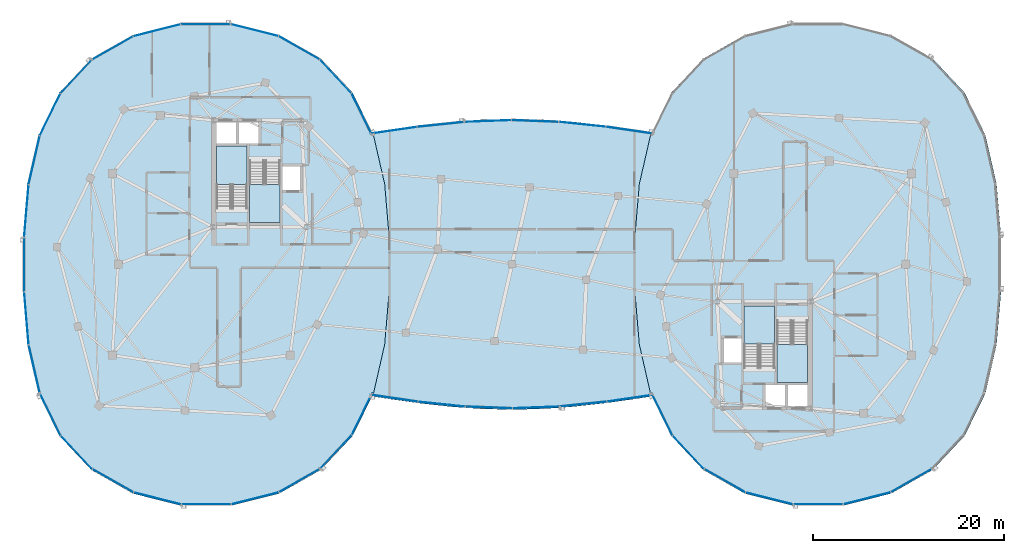
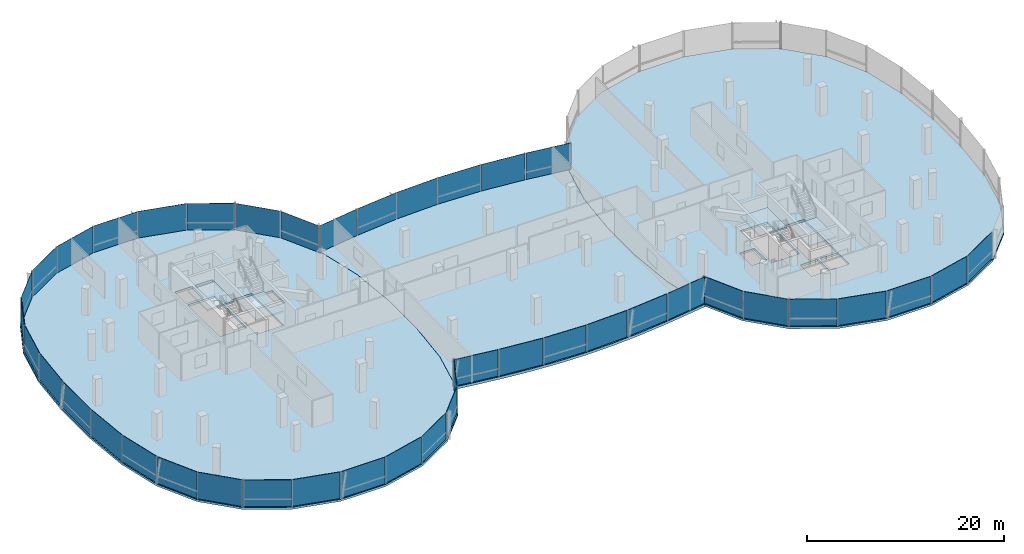
# One storey, part 12 of 25: 42 plates, 7 slabs, 11 elements without a shape of their own.
"""IFC4 building model written with IfcOpenShell, lengths in metres."""

from ifc_helpers import new_model, si_unit, direction, frame, origin, origin_2d, place, context, subcontext, project, spatial, polyline, rectangle, outline, extrude, material, layer, layer_set, type_object, element, aggregate, save


model = new_model("IFC4")

# Units and contexts
model_context = context("Model", 3, precision=1e-05, world=origin(), true_north=direction((0.0, 1.0)))
body_context = subcontext(model_context, "Body", "Model", "MODEL_VIEW")
ifc_project = project(units=[si_unit("LENGTHUNIT", "METRE"), si_unit("AREAUNIT", "SQUARE_METRE"), si_unit("VOLUMEUNIT", "CUBIC_METRE"), si_unit("PLANEANGLEUNIT", "RADIAN"), si_unit("MASSUNIT", "GRAM", prefix="KILO"), si_unit("THERMODYNAMICTEMPERATUREUNIT", "KELVIN"), si_unit("POWERUNIT", "WATT")], contexts=[model_context])

# Site, building, storey
site_placement = place(None, origin())
site = spatial("IfcSite", under=ifc_project, at=site_placement, CompositionType="ELEMENT")
building_placement = place(site_placement, origin())
building = spatial("IfcBuilding", under=site, at=building_placement, Name="Cundina Bronze Exchange", CompositionType="ELEMENT")
storey_placement = place(building_placement, frame((0.0, 0.0, 272.0)))
storey = spatial("IfcBuildingStorey", under=building, at=storey_placement, Name="L72", CompositionType="ELEMENT", Elevation=272.0)

# Curtain wall, plates
ifc_material_1 = material(Name="Anodised Bronze Aluminium 6063-T6", Category="aluminium")
curtain_wall_type = type_object("IfcCurtainWallType", Name="CWS-SKG-BRG", PredefinedType="NOTDEFINED", material=ifc_material_1)
curtain_wall_1_placement = place(storey_placement, origin())
curtain_wall_1 = element("IfcCurtainWall", 1, at=curtain_wall_1_placement, inside=storey, type_object=curtain_wall_type, Name="L72 CW-06 Curtain Wall Run CWR-L72-W1", PredefinedType="NOTDEFINED")
ifc_material_2 = material(Name="Heat-Strengthened Solar-Control Bronze Safety Glass 28mm", Category="glass")
ifc_layer_1 = layer(ifc_material_2, 0.028076171875, Name="Heat-Strengthened Solar-Control Bronze Safety Glass 28mm", Category="glass")
ifc_layer_set_1 = layer_set([ifc_layer_1], Name="Heat-Strengthened Solar-Control Bronze Safety Glass 28mm")
plate_type_1 = type_object("IfcPlateType", Name="PLT-GLZ-VIS28", PredefinedType="CURTAIN_PANEL", material=ifc_layer_set_1)
plate_1_placement = place(storey_placement, frame((-15.69873046875, 15.68017578125, 0.02001953125), z_axis=(0.0, 0.0, 1.0), x_axis=(-0.440503330345, 0.897750976582, 0.0)))
plate_1 = element("IfcPlate", 2, at=plate_1_placement, type_object=plate_type_1, Name="CW-06 Glazed Panel 1", PredefinedType="CURTAIN_PANEL", context=body_context, shape_type="SweptSolid", body=[
    extrude(rectangle(XDim=4.863525390625, YDim=0.028076171875, at=origin_2d()), origin(), (0.0, 0.0, 1.0), 3.300048828125),
])
plate_2_placement = place(storey_placement, frame((-18.431884765625, 19.64501953125, 0.02001953125), z_axis=(0.0, 0.0, 1.0), x_axis=(-0.684343512797, 0.72915976061, 0.0)))
plate_2 = element("IfcPlate", 3, at=plate_2_placement, type_object=plate_type_1, Name="CW-06 Glazed Panel 2", PredefinedType="CURTAIN_PANEL", context=body_context, shape_type="SweptSolid", body=[
    extrude(rectangle(XDim=4.773193359375, YDim=0.028076171875, at=origin_2d()), origin(), (0.0, 0.0, 1.0), 3.300048828125),
])
plate_3_placement = place(storey_placement, frame((-26.890625, 24.4814453125, 0.02001953125), z_axis=(0.0, 0.0, 1.0), x_axis=(-0.969731542251, 0.244173577528, 0.0)))
plate_3 = element("IfcPlate", 4, at=plate_3_placement, type_object=plate_type_1, Name="CW-06 Glazed Panel 4", PredefinedType="CURTAIN_PANEL", context=body_context, shape_type="SweptSolid", body=[
    extrude(rectangle(XDim=5.0908203125, YDim=0.028076171875, at=origin_2d()), origin(), (0.0, 0.0, 1.0), 3.300048828125),
])
plate_4_placement = place(storey_placement, frame((-32.0, 25.110107421875, 0.02001953125), z_axis=(0.0, 0.0, 1.0), x_axis=(-1.0, 0.0, 0.0)))
plate_4 = element("IfcPlate", 5, at=plate_4_placement, type_object=plate_type_1, Name="CW-06 Glazed Panel 5", PredefinedType="CURTAIN_PANEL", context=body_context, shape_type="SweptSolid", body=[
    extrude(rectangle(XDim=5.16796875, YDim=0.028076171875, at=origin_2d()), origin(), (0.0, 0.0, 1.0), 3.300048828125),
])
plate_5_placement = place(storey_placement, frame((-37.109375, 24.4814453125, 0.02001953125), z_axis=(0.0, 0.0, 1.0), x_axis=(-0.969731542251, -0.244173577528, 0.0)))
plate_5 = element("IfcPlate", 6, at=plate_5_placement, type_object=plate_type_1, Name="CW-06 Glazed Panel 6", PredefinedType="CURTAIN_PANEL", context=body_context, shape_type="SweptSolid", body=[
    extrude(rectangle(XDim=5.0908203125, YDim=0.028076171875, at=origin_2d()), origin(), (0.0, 0.0, 1.0), 3.300048828125),
])
plate_6_placement = place(storey_placement, frame((-41.76171875, 22.6279296875, 0.02001953125), z_axis=(0.0, 0.0, 1.0), x_axis=(-0.869572506985, -0.493805280547, 0.0)))
plate_6 = element("IfcPlate", 7, at=plate_6_placement, type_object=plate_type_1, Name="CW-06 Glazed Panel 7", PredefinedType="CURTAIN_PANEL", context=body_context, shape_type="SweptSolid", body=[
    extrude(rectangle(XDim=4.907958984375, YDim=0.028076171875, at=origin_2d()), origin(), (0.0, 0.0, 1.0), 3.300048828125),
])

curtain_wall_2_placement = place(storey_placement, origin())
curtain_wall_2 = element("IfcCurtainWall", 8, at=curtain_wall_2_placement, inside=storey, type_object=curtain_wall_type, Name="L72 CW-06 Curtain Wall Run CWR-L72-W2", PredefinedType="NOTDEFINED")
plate_7_placement = place(storey_placement, frame((-45.568115234375, 19.64501953125, 0.02001953125), z_axis=(0.0, 0.0, 1.0), x_axis=(-0.684343512797, -0.72915976061, 0.0)))
plate_7 = element("IfcPlate", 9, at=plate_7_placement, type_object=plate_type_1, Name="CW-06 Glazed Panel 1", PredefinedType="CURTAIN_PANEL", context=body_context, shape_type="SweptSolid", body=[
    extrude(rectangle(XDim=4.773193359375, YDim=0.028076171875, at=origin_2d()), origin(), (0.0, 0.0, 1.0), 3.300048828125),
])
plate_8_placement = place(storey_placement, frame((-49.96923828125, 10.922607421875, 0.02001953125), z_axis=(0.0, 0.0, 1.0), x_axis=(-0.223284141459, -0.974753400698, 0.0)))
plate_8 = element("IfcPlate", 10, at=plate_8_placement, type_object=plate_type_1, Name="CW-06 Glazed Panel 3", PredefinedType="CURTAIN_PANEL", context=body_context, shape_type="SweptSolid", body=[
    extrude(rectangle(XDim=5.167724609375, YDim=0.028076171875, at=origin_2d()), origin(), (0.0, 0.0, 1.0), 3.300048828125),
])
plate_9_placement = place(storey_placement, frame((-50.78662109375, 5.605712890625, 0.02001953125), z_axis=(0.0, 0.0, 1.0), x_axis=(-0.083747411454, -0.996487015006, 0.0)))
plate_9 = element("IfcPlate", 11, at=plate_9_placement, type_object=plate_type_1, Name="CW-06 Glazed Panel 4", PredefinedType="CURTAIN_PANEL", context=body_context, shape_type="SweptSolid", body=[
    extrude(rectangle(XDim=5.474609375, YDim=0.028076171875, at=origin_2d()), origin(), (0.0, 0.0, 1.0), 3.300048828125),
])
plate_10_placement = place(storey_placement, frame((-51.01904296875, 0.0, 0.02001953125), z_axis=(0.0, 0.0, 1.0), x_axis=(0.0, -1.0, 0.0)))
plate_10 = element("IfcPlate", 12, at=plate_10_placement, type_object=plate_type_1, Name="CW-06 Glazed Panel 5", PredefinedType="CURTAIN_PANEL", context=body_context, shape_type="SweptSolid", body=[
    extrude(rectangle(XDim=5.597900390625, YDim=0.028076171875, at=origin_2d()), origin(), (0.0, 0.0, 1.0), 3.300048828125),
])
plate_11_placement = place(storey_placement, frame((-50.78662109375, -5.605712890625, 0.02001953125), z_axis=(0.0, 0.0, 1.0), x_axis=(0.083747411454, -0.996487015006, 0.0)))
plate_11 = element("IfcPlate", 13, at=plate_11_placement, type_object=plate_type_1, Name="CW-06 Glazed Panel 6", PredefinedType="CURTAIN_PANEL", context=body_context, shape_type="SweptSolid", body=[
    extrude(rectangle(XDim=5.474609375, YDim=0.028076171875, at=origin_2d()), origin(), (0.0, 0.0, 1.0), 3.300048828125),
])

curtain_wall_3_placement = place(storey_placement, origin())
curtain_wall_3 = element("IfcCurtainWall", 14, at=curtain_wall_3_placement, inside=storey, type_object=curtain_wall_type, Name="L72 CW-06 Curtain Wall Run CWR-L72-W3", PredefinedType="NOTDEFINED")
plate_12_placement = place(storey_placement, frame((-45.568115234375, -19.64501953125, 0.02001953125), z_axis=(0.0, 0.0, 1.0), x_axis=(0.684343512797, -0.72915976061, 0.0)))
plate_12 = element("IfcPlate", 15, at=plate_12_placement, type_object=plate_type_1, Name="CW-06 Glazed Panel 2", PredefinedType="CURTAIN_PANEL", context=body_context, shape_type="SweptSolid", body=[
    extrude(rectangle(XDim=4.773193359375, YDim=0.028076171875, at=origin_2d()), origin(), (0.0, 0.0, 1.0), 3.300048828125),
])
plate_13_placement = place(storey_placement, frame((-41.76171875, -22.6279296875, 0.02001953125), z_axis=(0.0, 0.0, 1.0), x_axis=(0.869572506985, -0.493805280547, 0.0)))
plate_13 = element("IfcPlate", 16, at=plate_13_placement, type_object=plate_type_1, Name="CW-06 Glazed Panel 3", PredefinedType="CURTAIN_PANEL", context=body_context, shape_type="SweptSolid", body=[
    extrude(rectangle(XDim=4.907958984375, YDim=0.028076171875, at=origin_2d()), origin(), (0.0, 0.0, 1.0), 3.300048828125),
])
plate_14_placement = place(storey_placement, frame((-37.109375, -24.4814453125, 0.02001953125), z_axis=(0.0, 0.0, 1.0), x_axis=(0.969731542251, -0.244173577528, 0.0)))
plate_14 = element("IfcPlate", 17, at=plate_14_placement, type_object=plate_type_1, Name="CW-06 Glazed Panel 4", PredefinedType="CURTAIN_PANEL", context=body_context, shape_type="SweptSolid", body=[
    extrude(rectangle(XDim=5.0908203125, YDim=0.028076171875, at=origin_2d()), origin(), (0.0, 0.0, 1.0), 3.300048828125),
])
plate_15_placement = place(storey_placement, frame((-32.0, -25.110107421875, 0.02001953125), z_axis=(0.0, 0.0, 1.0), x_axis=(1.0, 0.0, 0.0)))
plate_15 = element("IfcPlate", 18, at=plate_15_placement, type_object=plate_type_1, Name="CW-06 Glazed Panel 5", PredefinedType="CURTAIN_PANEL", context=body_context, shape_type="SweptSolid", body=[
    extrude(rectangle(XDim=5.16796875, YDim=0.028076171875, at=origin_2d()), origin(), (0.0, 0.0, 1.0), 3.300048828125),
])
plate_16_placement = place(storey_placement, frame((-22.23828125, -22.6279296875, 0.02001953125), z_axis=(0.0, 0.0, 1.0), x_axis=(0.869572506985, 0.493805280547, 0.0)))
plate_16 = element("IfcPlate", 19, at=plate_16_placement, type_object=plate_type_1, Name="CW-06 Glazed Panel 7", PredefinedType="CURTAIN_PANEL", context=body_context, shape_type="SweptSolid", body=[
    extrude(rectangle(XDim=4.907958984375, YDim=0.028076171875, at=origin_2d()), origin(), (0.0, 0.0, 1.0), 3.300048828125),
])

curtain_wall_4_placement = place(storey_placement, origin())
curtain_wall_4 = element("IfcCurtainWall", 20, at=curtain_wall_4_placement, inside=storey, type_object=curtain_wall_type, Name="L72 CW-06 Curtain Wall Run CWR-L72-W4", PredefinedType="NOTDEFINED")
plate_17_placement = place(storey_placement, frame((-18.431884765625, -19.64501953125, 0.02001953125), z_axis=(0.0, 0.0, 1.0), x_axis=(0.684343512797, 0.72915976061, 0.0)))
plate_17 = element("IfcPlate", 21, at=plate_17_placement, type_object=plate_type_1, Name="CW-06 Glazed Panel 1", PredefinedType="CURTAIN_PANEL", context=body_context, shape_type="SweptSolid", body=[
    extrude(rectangle(XDim=4.773193359375, YDim=0.028076171875, at=origin_2d()), origin(), (0.0, 0.0, 1.0), 3.300048828125),
])
plate_18_placement = place(storey_placement, frame((-15.69873046875, -15.68017578125, 0.02001953125), z_axis=(0.0, 0.0, 1.0), x_axis=(0.440503330345, 0.897750976582, 0.0)))
plate_18 = element("IfcPlate", 22, at=plate_18_placement, type_object=plate_type_1, Name="CW-06 Glazed Panel 2", PredefinedType="CURTAIN_PANEL", context=body_context, shape_type="SweptSolid", body=[
    extrude(rectangle(XDim=4.863525390625, YDim=0.028076171875, at=origin_2d()), origin(), (0.0, 0.0, 1.0), 3.300048828125),
])
aggregate(curtain_wall_4, [plate_17, plate_18])

curtain_wall_5_placement = place(storey_placement, origin())
curtain_wall_5 = element("IfcCurtainWall", 23, at=curtain_wall_5_placement, inside=storey, type_object=curtain_wall_type, Name="L72 CW-06 Curtain Wall Run CWR-L72-E3", PredefinedType="NOTDEFINED")
plate_19_placement = place(storey_placement, frame((18.431884765625, -19.64501953125, 0.02001953125), z_axis=(0.0, 0.0, 1.0), x_axis=(0.684343512797, -0.72915976061, 0.0)))
plate_19 = element("IfcPlate", 24, at=plate_19_placement, type_object=plate_type_1, Name="CW-06 Glazed Panel 2", PredefinedType="CURTAIN_PANEL", context=body_context, shape_type="SweptSolid", body=[
    extrude(rectangle(XDim=4.773193359375, YDim=0.028076171875, at=origin_2d()), origin(), (0.0, 0.0, 1.0), 3.300048828125),
])
plate_20_placement = place(storey_placement, frame((22.23828125, -22.6279296875, 0.02001953125), z_axis=(0.0, 0.0, 1.0), x_axis=(0.869572506985, -0.493805280547, 0.0)))
plate_20 = element("IfcPlate", 25, at=plate_20_placement, type_object=plate_type_1, Name="CW-06 Glazed Panel 3", PredefinedType="CURTAIN_PANEL", context=body_context, shape_type="SweptSolid", body=[
    extrude(rectangle(XDim=4.907958984375, YDim=0.028076171875, at=origin_2d()), origin(), (0.0, 0.0, 1.0), 3.300048828125),
])
plate_21_placement = place(storey_placement, frame((26.890625, -24.4814453125, 0.02001953125), z_axis=(0.0, 0.0, 1.0), x_axis=(0.969731542251, -0.244173577528, 0.0)))
plate_21 = element("IfcPlate", 26, at=plate_21_placement, type_object=plate_type_1, Name="CW-06 Glazed Panel 4", PredefinedType="CURTAIN_PANEL", context=body_context, shape_type="SweptSolid", body=[
    extrude(rectangle(XDim=5.0908203125, YDim=0.028076171875, at=origin_2d()), origin(), (0.0, 0.0, 1.0), 3.300048828125),
])
plate_22_placement = place(storey_placement, frame((32.0, -25.110107421875, 0.02001953125), z_axis=(0.0, 0.0, 1.0), x_axis=(1.0, 0.0, 0.0)))
plate_22 = element("IfcPlate", 27, at=plate_22_placement, type_object=plate_type_1, Name="CW-06 Glazed Panel 5", PredefinedType="CURTAIN_PANEL", context=body_context, shape_type="SweptSolid", body=[
    extrude(rectangle(XDim=5.16796875, YDim=0.028076171875, at=origin_2d()), origin(), (0.0, 0.0, 1.0), 3.300048828125),
])
plate_23_placement = place(storey_placement, frame((41.76171875, -22.6279296875, 0.02001953125), z_axis=(0.0, 0.0, 1.0), x_axis=(0.869572506985, 0.493805280547, 0.0)))
plate_23 = element("IfcPlate", 28, at=plate_23_placement, type_object=plate_type_1, Name="CW-06 Glazed Panel 7", PredefinedType="CURTAIN_PANEL", context=body_context, shape_type="SweptSolid", body=[
    extrude(rectangle(XDim=4.907958984375, YDim=0.028076171875, at=origin_2d()), origin(), (0.0, 0.0, 1.0), 3.300048828125),
])

curtain_wall_6_placement = place(storey_placement, origin())
curtain_wall_6 = element("IfcCurtainWall", 29, at=curtain_wall_6_placement, inside=storey, type_object=curtain_wall_type, Name="L72 CW-06 Curtain Wall Run CWR-L72-BRGS", PredefinedType="NOTDEFINED")
plate_24_placement = place(storey_placement, frame((-12.356201171875, -14.012451171875, 0.02001953125), z_axis=(0.0, 0.0, 1.0), x_axis=(0.989528308409, -0.144338930496, 0.0)))
plate_24 = element("IfcPlate", 30, at=plate_24_placement, type_object=plate_type_1, Name="CW-06 Glazed Panel 1", PredefinedType="CURTAIN_PANEL", context=body_context, shape_type="SweptSolid", body=[
    extrude(rectangle(XDim=4.912353515625, YDim=0.028076171875, at=origin_2d()), origin(), (0.0, 0.0, 1.0), 3.2900390625),
])
plate_25_placement = place(storey_placement, frame((-7.41162109375, -14.629150390625, 0.02001953125), z_axis=(0.0, 0.0, 1.0), x_axis=(0.994672274174, -0.103087666525, 0.0)))
plate_25 = element("IfcPlate", 31, at=plate_25_placement, type_object=plate_type_1, Name="CW-06 Glazed Panel 2", PredefinedType="CURTAIN_PANEL", context=body_context, shape_type="SweptSolid", body=[
    extrude(rectangle(XDim=4.886474609375, YDim=0.028076171875, at=origin_2d()), origin(), (0.0, 0.0, 1.0), 3.2900390625),
])
plate_26_placement = place(storey_placement, frame((-2.47021484375, -14.9775390625, 0.02001953125), z_axis=(0.0, 0.0, 1.0), x_axis=(0.999302568116, -0.037341362551, 0.0)))
plate_26 = element("IfcPlate", 32, at=plate_26_placement, type_object=plate_type_1, Name="CW-06 Glazed Panel 3", PredefinedType="CURTAIN_PANEL", context=body_context, shape_type="SweptSolid", body=[
    extrude(rectangle(XDim=4.863525390625, YDim=0.028076171875, at=origin_2d()), origin(), (0.0, 0.0, 1.0), 3.2900390625),
])
plate_27_placement = place(storey_placement, frame((7.41162109375, -14.629150390625, 0.02001953125), z_axis=(0.0, 0.0, 1.0), x_axis=(0.994672274174, 0.103087666525, 0.0)))
plate_27 = element("IfcPlate", 33, at=plate_27_placement, type_object=plate_type_1, Name="CW-06 Glazed Panel 5", PredefinedType="CURTAIN_PANEL", context=body_context, shape_type="SweptSolid", body=[
    extrude(rectangle(XDim=4.886474609375, YDim=0.028076171875, at=origin_2d()), origin(), (0.0, 0.0, 1.0), 3.2900390625),
])
plate_28_placement = place(storey_placement, frame((12.356201171875, -14.012451171875, 0.02001953125), z_axis=(0.0, 0.0, 1.0), x_axis=(0.989528308409, 0.144338930496, 0.0)))
plate_28 = element("IfcPlate", 34, at=plate_28_placement, type_object=plate_type_1, Name="CW-06 Glazed Panel 6", PredefinedType="CURTAIN_PANEL", context=body_context, shape_type="SweptSolid", body=[
    extrude(rectangle(XDim=4.912353515625, YDim=0.028076171875, at=origin_2d()), origin(), (0.0, 0.0, 1.0), 3.2900390625),
])

curtain_wall_7_placement = place(storey_placement, origin())
curtain_wall_7 = element("IfcCurtainWall", 35, at=curtain_wall_7_placement, inside=storey, type_object=curtain_wall_type, Name="L72 CW-06 Curtain Wall Run CWR-L72-BRGN", PredefinedType="NOTDEFINED")
plate_29_placement = place(storey_placement, frame((7.41162109375, 14.629150390625, 0.02001953125), z_axis=(0.0, 0.0, 1.0), x_axis=(-0.994672274174, 0.103087666525, 0.0)))
plate_29 = element("IfcPlate", 36, at=plate_29_placement, type_object=plate_type_1, Name="CW-06 Glazed Panel 2", PredefinedType="CURTAIN_PANEL", context=body_context, shape_type="SweptSolid", body=[
    extrude(rectangle(XDim=4.886474609375, YDim=0.028076171875, at=origin_2d()), origin(), (0.0, 0.0, 1.0), 3.2900390625),
])
plate_30_placement = place(storey_placement, frame((2.47021484375, 14.9775390625, 0.02001953125), z_axis=(0.0, 0.0, 1.0), x_axis=(-0.999302568116, 0.037341362551, 0.0)))
plate_30 = element("IfcPlate", 37, at=plate_30_placement, type_object=plate_type_1, Name="CW-06 Glazed Panel 3", PredefinedType="CURTAIN_PANEL", context=body_context, shape_type="SweptSolid", body=[
    extrude(rectangle(XDim=4.863525390625, YDim=0.028076171875, at=origin_2d()), origin(), (0.0, 0.0, 1.0), 3.2900390625),
])
plate_31_placement = place(storey_placement, frame((-2.47021484375, 14.9775390625, 0.02001953125), z_axis=(0.0, 0.0, 1.0), x_axis=(-0.999302568116, -0.037341362551, 0.0)))
plate_31 = element("IfcPlate", 38, at=plate_31_placement, type_object=plate_type_1, Name="CW-06 Glazed Panel 4", PredefinedType="CURTAIN_PANEL", context=body_context, shape_type="SweptSolid", body=[
    extrude(rectangle(XDim=4.863525390625, YDim=0.028076171875, at=origin_2d()), origin(), (0.0, 0.0, 1.0), 3.2900390625),
])
plate_32_placement = place(storey_placement, frame((-7.41162109375, 14.629150390625, 0.02001953125), z_axis=(0.0, 0.0, 1.0), x_axis=(-0.994672274174, -0.103087666525, 0.0)))
plate_32 = element("IfcPlate", 39, at=plate_32_placement, type_object=plate_type_1, Name="CW-06 Glazed Panel 5", PredefinedType="CURTAIN_PANEL", context=body_context, shape_type="SweptSolid", body=[
    extrude(rectangle(XDim=4.886474609375, YDim=0.028076171875, at=origin_2d()), origin(), (0.0, 0.0, 1.0), 3.2900390625),
])

# Plate
ifc_material_3 = material(Name="Dark Bronze Spandrel Glass Panel 32mm", Category="glass")
ifc_layer_2 = layer(ifc_material_3, 0.031982421875, Name="Dark Bronze Spandrel Glass Panel 32mm", Category="glass")
ifc_layer_set_2 = layer_set([ifc_layer_2], Name="Dark Bronze Spandrel Glass Panel 32mm")
plate_type_2 = type_object("IfcPlateType", Name="PLT-SPN-BRZ32", PredefinedType="CURTAIN_PANEL", material=ifc_layer_set_2)
plate_33_placement = place(storey_placement, frame((-22.23828125, 22.6279296875, 0.02001953125), z_axis=(0.0, 0.0, 1.0), x_axis=(-0.869572506985, 0.493805280547, 0.0)))
plate_33 = element("IfcPlate", 40, at=plate_33_placement, type_object=plate_type_2, Name="CW-06 Glazed Panel 3", PredefinedType="CURTAIN_PANEL", context=body_context, shape_type="SweptSolid", body=[
    extrude(rectangle(XDim=4.907958984375, YDim=0.031982421875, at=origin_2d()), origin(), (0.0, 0.0, 1.0), 3.300048828125),
])

aggregate(curtain_wall_1, [plate_1, plate_2, plate_33, plate_3, plate_4, plate_5, plate_6])

plate_34_placement = place(storey_placement, frame((-48.30126953125, 15.68017578125, 0.02001953125), z_axis=(0.0, 0.0, 1.0), x_axis=(-0.440503330345, -0.897750976582, 0.0)))
plate_34 = element("IfcPlate", 41, at=plate_34_placement, type_object=plate_type_2, Name="CW-06 Glazed Panel 2", PredefinedType="CURTAIN_PANEL", context=body_context, shape_type="SweptSolid", body=[
    extrude(rectangle(XDim=4.863525390625, YDim=0.031982421875, at=origin_2d()), origin(), (0.0, 0.0, 1.0), 3.300048828125),
])

plate_35_placement = place(storey_placement, frame((-49.96923828125, -10.922607421875, 0.02001953125), z_axis=(0.0, 0.0, 1.0), x_axis=(0.223284141459, -0.974753400698, 0.0)))
plate_35 = element("IfcPlate", 42, at=plate_35_placement, type_object=plate_type_2, Name="CW-06 Glazed Panel 7", PredefinedType="CURTAIN_PANEL", context=body_context, shape_type="SweptSolid", body=[
    extrude(rectangle(XDim=5.167724609375, YDim=0.031982421875, at=origin_2d()), origin(), (0.0, 0.0, 1.0), 3.300048828125),
])

aggregate(curtain_wall_2, [plate_7, plate_34, plate_8, plate_9, plate_10, plate_11, plate_35])

plate_36_placement = place(storey_placement, frame((-48.30126953125, -15.68017578125, 0.02001953125), z_axis=(0.0, 0.0, 1.0), x_axis=(0.440503330345, -0.897750976582, 0.0)))
plate_36 = element("IfcPlate", 43, at=plate_36_placement, type_object=plate_type_2, Name="CW-06 Glazed Panel 1", PredefinedType="CURTAIN_PANEL", context=body_context, shape_type="SweptSolid", body=[
    extrude(rectangle(XDim=4.863525390625, YDim=0.031982421875, at=origin_2d()), origin(), (0.0, 0.0, 1.0), 3.300048828125),
])

plate_37_placement = place(storey_placement, frame((-26.890625, -24.4814453125, 0.02001953125), z_axis=(0.0, 0.0, 1.0), x_axis=(0.969731542251, 0.244173577528, 0.0)))
plate_37 = element("IfcPlate", 44, at=plate_37_placement, type_object=plate_type_2, Name="CW-06 Glazed Panel 6", PredefinedType="CURTAIN_PANEL", context=body_context, shape_type="SweptSolid", body=[
    extrude(rectangle(XDim=5.0908203125, YDim=0.031982421875, at=origin_2d()), origin(), (0.0, 0.0, 1.0), 3.300048828125),
])

aggregate(curtain_wall_3, [plate_36, plate_12, plate_13, plate_14, plate_15, plate_37, plate_16])

plate_38_placement = place(storey_placement, frame((15.69873046875, -15.68017578125, 0.02001953125), z_axis=(0.0, 0.0, 1.0), x_axis=(0.440503330345, -0.897750976582, 0.0)))
plate_38 = element("IfcPlate", 45, at=plate_38_placement, type_object=plate_type_2, Name="CW-06 Glazed Panel 1", PredefinedType="CURTAIN_PANEL", context=body_context, shape_type="SweptSolid", body=[
    extrude(rectangle(XDim=4.863525390625, YDim=0.031982421875, at=origin_2d()), origin(), (0.0, 0.0, 1.0), 3.300048828125),
])

plate_39_placement = place(storey_placement, frame((37.109375, -24.4814453125, 0.02001953125), z_axis=(0.0, 0.0, 1.0), x_axis=(0.969731542251, 0.244173577528, 0.0)))
plate_39 = element("IfcPlate", 46, at=plate_39_placement, type_object=plate_type_2, Name="CW-06 Glazed Panel 6", PredefinedType="CURTAIN_PANEL", context=body_context, shape_type="SweptSolid", body=[
    extrude(rectangle(XDim=5.0908203125, YDim=0.031982421875, at=origin_2d()), origin(), (0.0, 0.0, 1.0), 3.300048828125),
])

aggregate(curtain_wall_5, [plate_38, plate_19, plate_20, plate_21, plate_22, plate_39, plate_23])

plate_40_placement = place(storey_placement, frame((2.47021484375, -14.9775390625, 0.02001953125), z_axis=(0.0, 0.0, 1.0), x_axis=(0.999302568116, 0.037341362551, 0.0)))
plate_40 = element("IfcPlate", 47, at=plate_40_placement, type_object=plate_type_2, Name="CW-06 Glazed Panel 4", PredefinedType="CURTAIN_PANEL", context=body_context, shape_type="SweptSolid", body=[
    extrude(rectangle(XDim=4.863525390625, YDim=0.031982421875, at=origin_2d()), origin(), (0.0, 0.0, 1.0), 3.2900390625),
])

aggregate(curtain_wall_6, [plate_24, plate_25, plate_26, plate_40, plate_27, plate_28])

plate_41_placement = place(storey_placement, frame((12.356201171875, 14.012451171875, 0.02001953125), z_axis=(0.0, 0.0, 1.0), x_axis=(-0.989528308409, 0.144338930496, 0.0)))
plate_41 = element("IfcPlate", 48, at=plate_41_placement, type_object=plate_type_2, Name="CW-06 Glazed Panel 1", PredefinedType="CURTAIN_PANEL", context=body_context, shape_type="SweptSolid", body=[
    extrude(rectangle(XDim=4.912353515625, YDim=0.031982421875, at=origin_2d()), origin(), (0.0, 0.0, 1.0), 3.2900390625),
])

plate_42_placement = place(storey_placement, frame((-12.356201171875, 14.012451171875, 0.02001953125), z_axis=(0.0, 0.0, 1.0), x_axis=(-0.989528308409, -0.144338930496, 0.0)))
plate_42 = element("IfcPlate", 49, at=plate_42_placement, type_object=plate_type_2, Name="CW-06 Glazed Panel 6", PredefinedType="CURTAIN_PANEL", context=body_context, shape_type="SweptSolid", body=[
    extrude(rectangle(XDim=4.912353515625, YDim=0.031982421875, at=origin_2d()), origin(), (0.0, 0.0, 1.0), 3.2900390625),
])

aggregate(curtain_wall_7, [plate_41, plate_29, plate_30, plate_31, plate_32, plate_42])

# Slab
ifc_material_4 = material(Name="Concrete C50/60", Category="concrete")
ifc_layer_3 = layer(ifc_material_4, 0.320068359375, Name="Concrete C50/60", Category="concrete")
ifc_layer_set_3 = layer_set([ifc_layer_3], Name="Concrete C50/60")
slab_type_1 = type_object("IfcSlabType", Name="SLB-BRG-320", PredefinedType="FLOOR", material=ifc_layer_set_3)
slab_1_placement = place(storey_placement, frame((0.0, 0.0, -0.320068359375)))
element("IfcSlab", 50, at=slab_1_placement, inside=storey, type_object=slab_type_1, Name="L72 Sky-Gate Bridge Deck Slab", PredefinedType="FLOOR", context=body_context, shape_type="SweptSolid", body=[
    extrude(outline(polyline([(12.800048828125, -14.093994140625), (9.60009765625, -14.5400390625), (6.39990234375, -14.89404296875), (3.199951171875, -15.1220703125), (0.0, -15.199951171875), (-3.199951171875, -15.1220703125), (-6.39990234375, -14.89404296875), (-9.60009765625, -14.5400390625), (-12.800048828125, -14.093994140625), (-14.634033203125, -13.81103515625), (-14.489013671875, -13.514892578125), (-14.489013671875, -13.514892578125), (-14.489013671875, -13.513916015625), (-13.31494140625, -8.388916015625), (-13.31494140625, -8.388916015625), (-12.84912109375, -2.843994140625), (-12.84912109375, -2.843994140625), (-12.84912109375, 2.843994140625), (-12.84912109375, 2.843994140625), (-13.31494140625, 8.388916015625), (-13.31494140625, 8.388916015625), (-14.489013671875, 13.513916015625), (-14.489013671875, 13.514892578125), (-14.489013671875, 13.514892578125), (-14.634033203125, 13.81103515625), (-12.800048828125, 14.093994140625), (-9.60009765625, 14.5400390625), (-6.39990234375, 14.89404296875), (-3.199951171875, 15.1220703125), (0.0, 15.199951171875), (3.199951171875, 15.1220703125), (6.39990234375, 14.89404296875), (9.60009765625, 14.5400390625), (12.800048828125, 14.093994140625), (14.634033203125, 13.81103515625), (14.489013671875, 13.514892578125), (14.489013671875, 13.514892578125), (14.489013671875, 13.513916015625), (13.31494140625, 8.388916015625), (13.31494140625, 8.388916015625), (12.84912109375, 2.843994140625), (12.84912109375, 2.843994140625), (12.84912109375, -2.843994140625), (12.84912109375, -2.843994140625), (13.31494140625, -8.388916015625), (13.31494140625, -8.388916015625), (14.489013671875, -13.513916015625), (14.489013671875, -13.514892578125), (14.489013671875, -13.514892578125), (14.634033203125, -13.81103515625), (12.800048828125, -14.093994140625)])), origin(), (0.0, 0.0, 1.0), 0.320068359375),
])

# Stair, slab
ifc_material_5 = material(Name="Concrete C40/50", Category="concrete")
stair_type = type_object("IfcStairType", Name="STR-OFF-360", PredefinedType="HALF_TURN_STAIR", material=ifc_material_5)
stair_1_placement = place(storey_placement, origin())
stair_1 = element("IfcStair", 51, at=stair_1_placement, inside=storey, type_object=stair_type, Name="L72 Smokeproof Exit Stair W1", PredefinedType="HALF_TURN_STAIR")
ifc_layer_4 = layer(ifc_material_5, 0.199951171875, Name="Concrete C40/50", Category="concrete")
ifc_layer_set_4 = layer_set([ifc_layer_4], Name="Concrete C40/50")
slab_type_2 = type_object("IfcSlabType", Name="SLB-LND-200", PredefinedType="LANDING", material=ifc_layer_set_4)
slab_2_placement = place(storey_placement, frame((0.0, 0.0, 1.60009765625)))
slab_2 = element("IfcSlab", 52, at=slab_2_placement, type_object=slab_type_2, Name="ST-W1 landing 1", PredefinedType="LANDING", context=body_context, shape_type="SweptSolid", body=[
    extrude(outline(polyline([(-27.739990234375, 8.3701171875), (-27.739990234375, 12.35009765625), (-30.89990234375, 12.35009765625), (-30.89990234375, 8.3701171875), (-27.739990234375, 8.3701171875)])), origin(), (0.0, 0.0, 1.0), 0.199951171875),
])
aggregate(stair_1, [slab_2])

stair_2_placement = place(storey_placement, origin())
stair_2 = element("IfcStair", 53, at=stair_2_placement, inside=storey, type_object=stair_type, Name="L72 Smokeproof Exit Stair W2", PredefinedType="HALF_TURN_STAIR")
slab_3_placement = place(storey_placement, frame((0.0, 0.0, 1.60009765625)))
slab_3 = element("IfcSlab", 54, at=slab_3_placement, type_object=slab_type_2, Name="ST-W2 landing 1", PredefinedType="LANDING", context=body_context, shape_type="SweptSolid", body=[
    extrude(outline(polyline([(-27.43994140625, 8.330078125), (-27.43994140625, 4.35009765625), (-24.280029296875, 4.35009765625), (-24.280029296875, 8.330078125), (-27.43994140625, 8.330078125)])), origin(), (0.0, 0.0, 1.0), 0.199951171875),
])
aggregate(stair_2, [slab_3])

stair_3_placement = place(storey_placement, origin())
stair_3 = element("IfcStair", 55, at=stair_3_placement, inside=storey, type_object=stair_type, Name="L72 Smokeproof Exit Stair E1", PredefinedType="HALF_TURN_STAIR")
slab_4_placement = place(storey_placement, frame((0.0, 0.0, 1.60009765625)))
slab_4 = element("IfcSlab", 56, at=slab_4_placement, type_object=slab_type_2, Name="ST-E1 landing 1", PredefinedType="LANDING", context=body_context, shape_type="SweptSolid", body=[
    extrude(outline(polyline([(27.739990234375, -8.3701171875), (27.739990234375, -12.35009765625), (30.89990234375, -12.35009765625), (30.89990234375, -8.3701171875), (27.739990234375, -8.3701171875)])), origin(), (0.0, 0.0, 1.0), 0.199951171875),
])
aggregate(stair_3, [slab_4])

stair_4_placement = place(storey_placement, origin())
stair_4 = element("IfcStair", 57, at=stair_4_placement, inside=storey, type_object=stair_type, Name="L72 Smokeproof Exit Stair E2", PredefinedType="HALF_TURN_STAIR")
slab_5_placement = place(storey_placement, frame((0.0, 0.0, 1.60009765625)))
slab_5 = element("IfcSlab", 58, at=slab_5_placement, type_object=slab_type_2, Name="ST-E2 landing 1", PredefinedType="LANDING", context=body_context, shape_type="SweptSolid", body=[
    extrude(outline(polyline([(27.43994140625, -8.330078125), (27.43994140625, -4.35009765625), (24.280029296875, -4.35009765625), (24.280029296875, -8.330078125), (27.43994140625, -8.330078125)])), origin(), (0.0, 0.0, 1.0), 0.199951171875),
])
aggregate(stair_4, [slab_5])

# Slabs
ifc_layer_5 = layer(ifc_material_4, 0.260009765625, Name="Concrete C50/60", Category="concrete")
ifc_layer_set_5 = layer_set([ifc_layer_5], Name="Concrete C50/60")
slab_type_3 = type_object("IfcSlabType", Name="SLB-OFF-260", PredefinedType="FLOOR", material=ifc_layer_set_5)
slab_6_placement = place(storey_placement, frame((0.0, 0.0, -0.260009765625)))
element("IfcSlab", 59, at=slab_6_placement, inside=storey, type_object=slab_type_3, Name="L72 Leg W Structural Floor Slab", PredefinedType="FLOOR", context=body_context, shape_type="SweptSolid", body=[
    extrude(outline(polyline([(-12.85107421875, 2.843994140625), (-13.31689453125, 8.388916015625), (-14.490966796875, 13.513916015625), (-16.673095703125, 17.9609375), (-20.0009765625, 21.507080078125), (-24.346923828125, 23.97509765625), (-29.37109375, 25.239990234375), (-34.62890625, 25.239990234375), (-39.653076171875, 23.97509765625), (-43.9990234375, 21.507080078125), (-47.326904296875, 17.9609375), (-49.509033203125, 13.513916015625), (-50.68310546875, 8.388916015625), (-51.14892578125, 2.843994140625), (-51.14892578125, -2.843994140625), (-50.68310546875, -8.388916015625), (-49.509033203125, -13.513916015625), (-47.326904296875, -17.9609375), (-43.9990234375, -21.507080078125), (-39.653076171875, -23.97509765625), (-34.62890625, -25.239990234375), (-29.37109375, -25.239990234375), (-24.346923828125, -23.97509765625), (-20.0009765625, -21.507080078125), (-16.673095703125, -17.9609375), (-14.490966796875, -13.513916015625), (-13.31689453125, -8.388916015625), (-12.85107421875, -2.843994140625), (-12.85107421875, 2.843994140625)]), holes=[polyline([(-27.739990234375, 5.85009765625), (-27.739990234375, 12.35009765625), (-30.89990234375, 12.35009765625), (-30.89990234375, 5.85009765625), (-27.739990234375, 5.85009765625)]), polyline([(-27.43994140625, 10.85009765625), (-27.43994140625, 4.35009765625), (-24.280029296875, 4.35009765625), (-24.280029296875, 10.85009765625), (-27.43994140625, 10.85009765625)]), polyline([(-23.97998046875, 10.25), (-22.179931640625, 10.25), (-22.179931640625, 7.75), (-23.97998046875, 7.75), (-23.97998046875, 10.25)]), polyline([(-30.89990234375, 14.949951171875), (-28.85009765625, 14.949951171875), (-28.85009765625, 12.64990234375), (-30.89990234375, 12.64990234375), (-30.89990234375, 14.949951171875)]), polyline([(-28.550048828125, 14.949951171875), (-26.5, 14.949951171875), (-26.5, 12.64990234375), (-28.550048828125, 12.64990234375), (-28.550048828125, 14.949951171875)])]), origin(), (0.0, 0.0, 1.0), 0.260009765625),
])
slab_7_placement = place(storey_placement, frame((0.0, 0.0, -0.260009765625)))
element("IfcSlab", 60, at=slab_7_placement, inside=storey, type_object=slab_type_3, Name="L72 Leg E Structural Floor Slab", PredefinedType="FLOOR", context=body_context, shape_type="SweptSolid", body=[
    extrude(outline(polyline([(51.14892578125, 2.843994140625), (50.68310546875, 8.388916015625), (49.509033203125, 13.513916015625), (47.326904296875, 17.9609375), (43.9990234375, 21.507080078125), (39.653076171875, 23.97509765625), (34.62890625, 25.239990234375), (29.37109375, 25.239990234375), (24.346923828125, 23.97509765625), (20.0009765625, 21.507080078125), (16.673095703125, 17.9609375), (14.490966796875, 13.513916015625), (13.31689453125, 8.388916015625), (12.85107421875, 2.843994140625), (12.85107421875, -2.843994140625), (13.31689453125, -8.388916015625), (14.490966796875, -13.513916015625), (16.673095703125, -17.9609375), (20.0009765625, -21.507080078125), (24.346923828125, -23.97509765625), (29.37109375, -25.239990234375), (34.62890625, -25.239990234375), (39.653076171875, -23.97509765625), (43.9990234375, -21.507080078125), (47.326904296875, -17.9609375), (49.509033203125, -13.513916015625), (50.68310546875, -8.388916015625), (51.14892578125, -2.843994140625), (51.14892578125, 2.843994140625)]), holes=[polyline([(27.739990234375, -5.85009765625), (27.739990234375, -12.35009765625), (30.89990234375, -12.35009765625), (30.89990234375, -5.85009765625), (27.739990234375, -5.85009765625)]), polyline([(27.43994140625, -10.85009765625), (27.43994140625, -4.35009765625), (24.280029296875, -4.35009765625), (24.280029296875, -10.85009765625), (27.43994140625, -10.85009765625)]), polyline([(22.179931640625, -7.75), (23.97998046875, -7.75), (23.97998046875, -10.25), (22.179931640625, -10.25), (22.179931640625, -7.75)]), polyline([(28.85009765625, -12.64990234375), (30.89990234375, -12.64990234375), (30.89990234375, -14.949951171875), (28.85009765625, -14.949951171875), (28.85009765625, -12.64990234375)]), polyline([(26.5, -12.64990234375), (28.550048828125, -12.64990234375), (28.550048828125, -14.949951171875), (26.5, -14.949951171875), (26.5, -12.64990234375)])]), origin(), (0.0, 0.0, 1.0), 0.260009765625),
])

save(model, "model.ifc")
